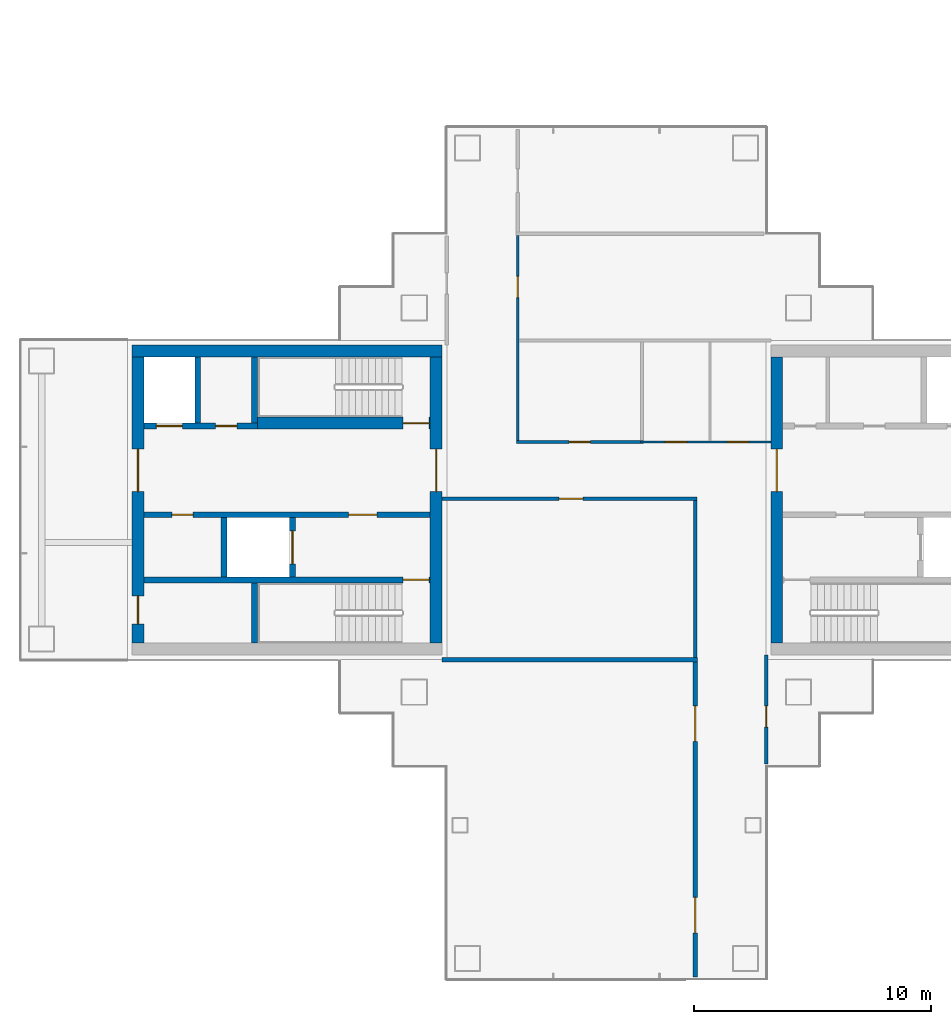
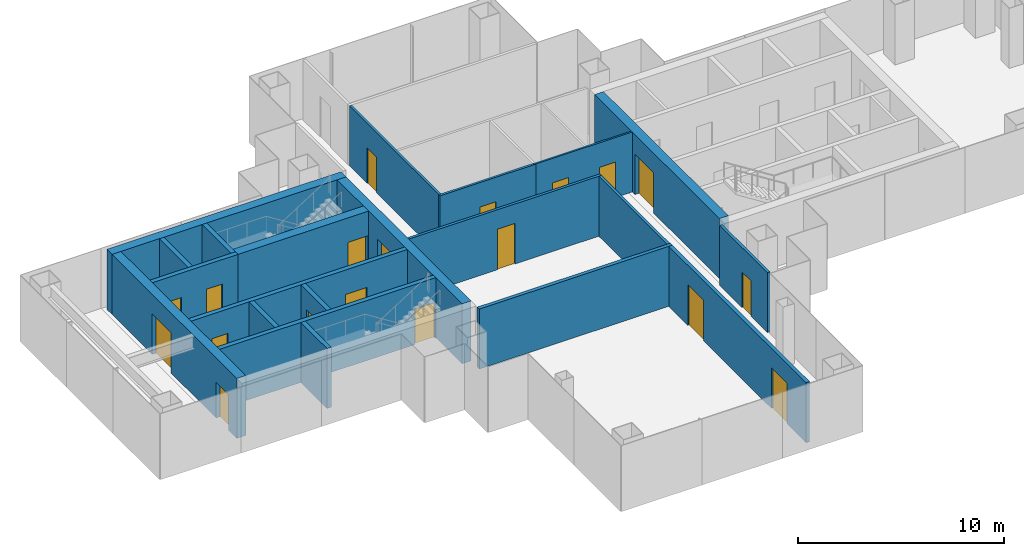
# One storey, part 9 of 16: 21 walls, 19 doors, 19 openings.
"""IFC4 building model written with IfcOpenShell, lengths in metres."""

from ifc_helpers import new_model, si_unit, direction, frame, frame_2d, origin, place, context, subcontext, project, spatial, rectangle, extrude, material, layer, layer_set, type_object, element, fill, save


model = new_model("IFC4")

# Units and contexts
model_context = context("Model", 3, precision=1e-05, world=origin(), true_north=direction((0.0, 1.0)))
body_context = subcontext(model_context, "Body", "Model", "MODEL_VIEW")
ifc_project = project(units=[si_unit("LENGTHUNIT", "METRE"), si_unit("AREAUNIT", "SQUARE_METRE"), si_unit("VOLUMEUNIT", "CUBIC_METRE"), si_unit("PLANEANGLEUNIT", "RADIAN"), si_unit("MASSUNIT", "GRAM", prefix="KILO")], contexts=[model_context])

# Site, building, storey
site_placement = place(None, origin())
site = spatial("IfcSite", under=ifc_project, at=site_placement, CompositionType="ELEMENT")
building_placement = place(site_placement, origin())
building = spatial("IfcBuilding", under=site, at=building_placement, Name="Shamsa Quay Exchange Towers", CompositionType="ELEMENT")
storey_placement = place(building_placement, frame((0.0, 0.0, 138.89990234375)))
storey = spatial("IfcBuildingStorey", under=building, at=storey_placement, Name="L32", CompositionType="ELEMENT", Elevation=138.89990234375)

# Wall, openings, doors
ifc_material_1 = material(Name="Double-leaf gypsum board partition with acoustic insulation")
ifc_layer_1 = layer(ifc_material_1, 0.199951171875)
ifc_layer_set_1 = layer_set([ifc_layer_1], Name="Acoustic partition 200 mm EI 60")
wall_type_1 = type_object("IfcWallType", Name="Acoustic partition 200 mm EI 60", PredefinedType="PARTITIONING", material=ifc_layer_set_1)
wall_1_placement = place(storey_placement, frame((-30.0, -6.85009765625, 0.0), z_axis=(0.0, 0.0, 1.0), x_axis=(0.0, -1.0, 0.0)))
wall_1 = element("IfcWall", 1, at=wall_1_placement, inside=storey, type_object=wall_type_1, Name="Partition T1-R14-W05", PredefinedType="PARTITIONING", context=body_context, shape_type="SweptSolid", body=[
    extrude(rectangle(XDim=13.304931640625, YDim=0.199951171875, at=frame_2d((6.65234375, 0.0))), origin(), (0.0, 0.0, 1.0), 3.550048828125),
])
opening_1_placement = place(wall_1_placement, frame((1.85009765625, 0.0, 0.0)))
opening_1 = element("IfcOpeningElement", 2, at=opening_1_placement, cuts=wall_1, Name="Opening T1-R14-D07", PredefinedType="OPENING", context=body_context, shape_type="SweptSolid", body=[
    extrude(rectangle(XDim=1.5, YDim=2.39990234375, at=frame_2d((0.75, 1.199951171875))), frame((0.0, 0.10986328125, 0.0), z_axis=(0.0, -1.0, 0.0), x_axis=(1.0, 0.0, 0.0)), (0.0, 0.0, 1.0), 0.219970703125),
])
opening_2_placement = place(wall_1_placement, frame((9.949951171875, 0.0, 0.0)))
opening_2 = element("IfcOpeningElement", 3, at=opening_2_placement, cuts=wall_1, Name="Opening T1-R14-D08", PredefinedType="OPENING", context=body_context, shape_type="SweptSolid", body=[
    extrude(rectangle(XDim=1.5, YDim=2.39990234375, at=frame_2d((0.75, 1.199951171875))), frame((0.0, 0.10986328125, 0.0), z_axis=(0.0, -1.0, 0.0), x_axis=(1.0, 0.0, 0.0)), (0.0, 0.0, 1.0), 0.219970703125),
])
ifc_material_2 = material(Name="Timber door leaf in a metal frame", Category="wood")
door_type_1 = type_object("IfcDoorType", Name="Door 1500x2400 FD30S pair", OperationType="NOTDEFINED", PredefinedType="DOOR", material=ifc_material_2)
door_1_placement = place(opening_1_placement, origin())
door_1 = element("IfcDoor", 4, at=door_1_placement, inside=storey, type_object=door_type_1, Name="Door T1-R14-D07", OperationType="DOUBLE_DOOR_SINGLE_SWING", OverallHeight=2.39990234375, OverallWidth=1.5, PredefinedType="DOOR", context=body_context, shape_type="SweptSolid", body=[
    extrude(rectangle(XDim=1.5, YDim=2.39990234375, at=frame_2d((0.75, 1.199951171875))), frame((0.0, 0.02490234375, 0.0), z_axis=(0.0, -1.0, 0.0), x_axis=(1.0, 0.0, 0.0)), (0.0, 0.0, 1.0), 0.050048828125),
])
fill(opening_1, door_1)
door_2_placement = place(opening_2_placement, origin())
door_2 = element("IfcDoor", 5, at=door_2_placement, inside=storey, type_object=door_type_1, Name="Door T1-R14-D08", OperationType="DOUBLE_DOOR_SINGLE_SWING", OverallHeight=2.39990234375, OverallWidth=1.5, PredefinedType="DOOR", context=body_context, shape_type="SweptSolid", body=[
    extrude(rectangle(XDim=1.5, YDim=2.39990234375, at=frame_2d((0.75, 1.199951171875))), frame((0.0, 0.02490234375, 0.0), z_axis=(0.0, -1.0, 0.0), x_axis=(1.0, 0.0, 0.0)), (0.0, 0.0, 1.0), 0.050048828125),
])
fill(opening_2, door_2)

# Wall
wall_2_placement = place(storey_placement, frame((-29.89990234375, -6.75, 0.0), z_axis=(0.0, 0.0, 1.0), x_axis=(-1.0, 0.0, 0.0)))
element("IfcWall", 6, at=wall_2_placement, inside=storey, type_object=wall_type_1, Name="Partition T1-R14-W14", PredefinedType="PARTITIONING", context=body_context, shape_type="SweptSolid", body=[
    extrude(rectangle(XDim=10.800048828125, YDim=0.199951171875, at=frame_2d((5.39990234375, 0.0))), origin(), (0.0, 0.0, 1.0), 3.550048828125),
])

# Wall, opening, door
ifc_material_3 = material(Name="Concrete C60/75", Category="concrete")
ifc_layer_2 = layer(ifc_material_3, 0.5)
ifc_layer_set_2 = layer_set([ifc_layer_2], Name="CORE WALL 500 C60/75")
wall_type_2 = type_object("IfcWallType", Name="CORE WALL 500 C60/75", PredefinedType="SHEAR", material=ifc_layer_set_2)
wall_3_placement = place(storey_placement, frame((-26.550048828125, 6.050048828125, 0.0), z_axis=(0.0, 0.0, 1.0), x_axis=(0.0, -1.0, 0.0)))
wall_3 = element("IfcWall", 7, at=wall_3_placement, inside=storey, type_object=wall_type_2, Name="Core wall T1A-R14-PF", PredefinedType="SHEAR", context=body_context, shape_type="SweptSolid", body=[
    extrude(rectangle(XDim=12.10009765625, YDim=0.5, at=frame_2d((6.050048828125, 0.0))), origin(), (0.0, 0.0, 1.0), 3.550048828125),
])
opening_3_placement = place(wall_3_placement, frame((3.89990234375, 0.0, 0.0)))
opening_3 = element("IfcOpeningElement", 8, at=opening_3_placement, cuts=wall_3, Name="Opening T1A-R14-LBD01", PredefinedType="OPENING", context=body_context, shape_type="SweptSolid", body=[
    extrude(rectangle(XDim=1.800048828125, YDim=2.39990234375, at=frame_2d((0.89990234375, 1.199951171875))), frame((0.0, 0.260009765625, 0.0), z_axis=(0.0, -1.0, 0.0), x_axis=(1.0, 0.0, 0.0)), (0.0, 0.0, 1.0), 0.52001953125),
])
ifc_material_4 = material(Name="Steel, fire rated", Category="steel")
door_type_2 = type_object("IfcDoorType", Name="LIFT LOBBY DOOR PAIR 1800", OperationType="DOUBLE_DOOR_SINGLE_SWING", PredefinedType="DOOR", material=ifc_material_4)
door_3_placement = place(opening_3_placement, origin())
door_3 = element("IfcDoor", 9, at=door_3_placement, inside=storey, type_object=door_type_2, Name="T1A-R14-LBD01", OperationType="DOUBLE_DOOR_SINGLE_SWING", OverallHeight=2.39990234375, OverallWidth=1.800048828125, PredefinedType="DOOR", context=body_context, shape_type="SweptSolid", body=[
    extrude(rectangle(XDim=1.800048828125, YDim=2.39990234375, at=frame_2d((0.89990234375, 1.199951171875))), frame((0.0, 0.02490234375, 0.0), z_axis=(0.0, -1.0, 0.0), x_axis=(1.0, 0.0, 0.0)), (0.0, 0.0, 1.0), 0.050048828125),
])
fill(opening_3, door_3)

# Wall
wall_4_placement = place(storey_placement, frame((-40.699951171875, 6.300048828125, 0.0), z_axis=(0.0, 0.0, 1.0), x_axis=(-1.0, 0.0, 0.0)))
element("IfcWall", 10, at=wall_4_placement, inside=storey, type_object=wall_type_2, Name="Core wall T1B-R14-PN", PredefinedType="SHEAR", context=body_context, shape_type="SweptSolid", body=[
    extrude(rectangle(XDim=13.10009765625, YDim=0.5, at=frame_2d((6.550048828125, 0.0))), origin(), (0.0, 0.0, 1.0), 3.550048828125),
])

# Wall, opening, door
wall_5_placement = place(storey_placement, frame((-40.949951171875, -6.050048828125, 0.0), z_axis=(0.0, 0.0, 1.0), x_axis=(0.0, 1.0, 0.0)))
wall_5 = element("IfcWall", 11, at=wall_5_placement, inside=storey, type_object=wall_type_2, Name="Core wall T1B-R14-PF", PredefinedType="SHEAR", context=body_context, shape_type="SweptSolid", body=[
    extrude(rectangle(XDim=12.10009765625, YDim=0.5, at=frame_2d((6.050048828125, 0.0))), origin(), (0.0, 0.0, 1.0), 3.550048828125),
])
opening_4_placement = place(wall_5_placement, frame((6.39990234375, 0.0, 0.0)))
opening_4 = element("IfcOpeningElement", 12, at=opening_4_placement, cuts=wall_5, Name="Opening T1B-R14-LBD01", PredefinedType="OPENING", context=body_context, shape_type="SweptSolid", body=[
    extrude(rectangle(XDim=1.800048828125, YDim=2.39990234375, at=frame_2d((0.89990234375, 1.199951171875))), frame((0.0, 0.260009765625, 0.0), z_axis=(0.0, -1.0, 0.0), x_axis=(1.0, 0.0, 0.0)), (0.0, 0.0, 1.0), 0.52001953125),
])
door_4_placement = place(opening_4_placement, origin())
door_4 = element("IfcDoor", 13, at=door_4_placement, inside=storey, type_object=door_type_2, Name="T1B-R14-LBD01", OperationType="DOUBLE_DOOR_SINGLE_SWING", OverallHeight=2.39990234375, OverallWidth=1.800048828125, PredefinedType="DOOR", context=body_context, shape_type="SweptSolid", body=[
    extrude(rectangle(XDim=1.800048828125, YDim=2.39990234375, at=frame_2d((0.89990234375, 1.199951171875))), frame((0.0, 0.02490234375, 0.0), z_axis=(0.0, -1.0, 0.0), x_axis=(1.0, 0.0, 0.0)), (0.0, 0.0, 1.0), 0.050048828125),
])
fill(opening_4, door_4)

# Wall, openings, doors
wall_6_placement = place(storey_placement, frame((-53.550048828125, -6.050048828125, 0.0), z_axis=(0.0, 0.0, 1.0), x_axis=(0.0, 1.0, 0.0)))
wall_6 = element("IfcWall", 14, at=wall_6_placement, inside=storey, type_object=wall_type_2, Name="Core wall T1B-R14-PB", PredefinedType="SHEAR", context=body_context, shape_type="SweptSolid", body=[
    extrude(rectangle(XDim=12.10009765625, YDim=0.5, at=frame_2d((6.050048828125, 0.0))), origin(), (0.0, 0.0, 1.0), 3.550048828125),
])
opening_5_placement = place(wall_6_placement, frame((0.800048828125, 0.0, 0.0)))
opening_5 = element("IfcOpeningElement", 15, at=opening_5_placement, cuts=wall_6, Name="Opening T1B-R14-RD02", PredefinedType="OPENING", context=body_context, shape_type="SweptSolid", body=[
    extrude(rectangle(XDim=1.199951171875, YDim=2.10009765625, at=frame_2d((0.60009765625, 1.050048828125))), frame((0.0, 0.260009765625, 0.0), z_axis=(0.0, -1.0, 0.0), x_axis=(1.0, 0.0, 0.0)), (0.0, 0.0, 1.0), 0.52001953125),
])
opening_6_placement = place(wall_6_placement, frame((6.39990234375, 0.0, 0.0)))
opening_6 = element("IfcOpeningElement", 16, at=opening_6_placement, cuts=wall_6, Name="Opening T1B-R14-LBD03", PredefinedType="OPENING", context=body_context, shape_type="SweptSolid", body=[
    extrude(rectangle(XDim=1.800048828125, YDim=2.39990234375, at=frame_2d((0.89990234375, 1.199951171875))), frame((0.0, 0.260009765625, 0.0), z_axis=(0.0, -1.0, 0.0), x_axis=(1.0, 0.0, 0.0)), (0.0, 0.0, 1.0), 0.52001953125),
])
door_5_placement = place(opening_6_placement, origin())
door_5 = element("IfcDoor", 17, at=door_5_placement, inside=storey, type_object=door_type_2, Name="T1B-R14-LBD03", OperationType="DOUBLE_DOOR_SINGLE_SWING", OverallHeight=2.39990234375, OverallWidth=1.800048828125, PredefinedType="DOOR", context=body_context, shape_type="SweptSolid", body=[
    extrude(rectangle(XDim=1.800048828125, YDim=2.39990234375, at=frame_2d((0.89990234375, 1.199951171875))), frame((0.0, 0.02490234375, 0.0), z_axis=(0.0, -1.0, 0.0), x_axis=(1.0, 0.0, 0.0)), (0.0, 0.0, 1.0), 0.050048828125),
])
fill(opening_6, door_5)
door_type_3 = type_object("IfcDoorType", Name="RISER ACCESS DOOR 1200", OperationType="SINGLE_SWING_LEFT", PredefinedType="DOOR", material=ifc_material_4)
door_6_placement = place(opening_5_placement, origin())
door_6 = element("IfcDoor", 18, at=door_6_placement, inside=storey, type_object=door_type_3, Name="T1B-R14-RD02", OperationType="SINGLE_SWING_LEFT", OverallHeight=2.10009765625, OverallWidth=1.199951171875, PredefinedType="DOOR", context=body_context, shape_type="SweptSolid", body=[
    extrude(rectangle(XDim=1.199951171875, YDim=2.10009765625, at=frame_2d((0.60009765625, 1.050048828125))), frame((0.0, 0.02490234375, 0.0), z_axis=(0.0, -1.0, 0.0), x_axis=(1.0, 0.0, 0.0)), (0.0, 0.0, 1.0), 0.050048828125),
])
fill(opening_5, door_6)

# Wall, opening, door
ifc_material_5 = material(Name="Laminated fire-resisting glass in a metal frame", Category="glass")
ifc_layer_3 = layer(ifc_material_5, 0.125)
ifc_layer_set_3 = layer_set([ifc_layer_3], Name="Glazed partition 125 mm EI 60")
wall_type_3 = type_object("IfcWallType", Name="Glazed partition 125 mm EI 60", PredefinedType="PARTITIONING", material=ifc_layer_set_3)
wall_7_placement = place(storey_placement, frame((-37.5, 11.175048828125, 0.0), z_axis=(0.0, 0.0, 1.0), x_axis=(0.0, -1.0, 0.0)))
wall_7 = element("IfcWall", 19, at=wall_7_placement, inside=storey, type_object=wall_type_3, Name="Partition T1-R14-W01", PredefinedType="PARTITIONING", context=body_context, shape_type="SweptSolid", body=[
    extrude(rectangle(XDim=8.662353515625, YDim=0.125, at=frame_2d((4.3310546875, 0.0))), origin(), (0.0, 0.0, 1.0), 3.550048828125),
])
opening_7_placement = place(wall_7_placement, frame((1.72509765625, 0.0, 0.0)))
opening_7 = element("IfcOpeningElement", 20, at=opening_7_placement, cuts=wall_7, Name="Opening T1-R14-D03", PredefinedType="OPENING", context=body_context, shape_type="SweptSolid", body=[
    extrude(rectangle(XDim=0.89990234375, YDim=2.10009765625, at=frame_2d((0.449951171875, 1.050048828125))), frame((0.0, 0.072509765625, 0.0), z_axis=(0.0, -1.0, 0.0), x_axis=(1.0, 0.0, 0.0)), (0.0, 0.0, 1.0), 0.14501953125),
])
door_type_4 = type_object("IfcDoorType", Name="Door 900x2100 FD30S", OperationType="NOTDEFINED", PredefinedType="DOOR", material=ifc_material_2)
door_7_placement = place(opening_7_placement, origin())
door_7 = element("IfcDoor", 21, at=door_7_placement, inside=storey, type_object=door_type_4, Name="Door T1-R14-D03", OperationType="SINGLE_SWING_RIGHT", OverallHeight=2.10009765625, OverallWidth=0.89990234375, PredefinedType="DOOR", context=body_context, shape_type="SweptSolid", body=[
    extrude(rectangle(XDim=0.89990234375, YDim=2.10009765625, at=frame_2d((0.449951171875, 1.050048828125))), frame((0.0, 0.02490234375, 0.0), z_axis=(0.0, -1.0, 0.0), x_axis=(1.0, 0.0, 0.0)), (0.0, 0.0, 1.0), 0.050048828125),
])
fill(opening_7, door_7)

wall_8_placement = place(storey_placement, frame((-37.5625, 2.4501953125, 0.0)))
wall_8 = element("IfcWall", 22, at=wall_8_placement, inside=storey, type_object=wall_type_3, Name="Partition T1-R14-W03", PredefinedType="PARTITIONING", context=body_context, shape_type="SweptSolid", body=[
    extrude(rectangle(XDim=5.375, YDim=0.125, at=frame_2d((2.6875, 0.0))), origin(), (0.0, 0.0, 1.0), 3.550048828125),
])
opening_8_placement = place(wall_8_placement, frame((2.237548828125, 0.0, 0.0)))
opening_8 = element("IfcOpeningElement", 23, at=opening_8_placement, cuts=wall_8, Name="Opening T1-R14-D02", PredefinedType="OPENING", context=body_context, shape_type="SweptSolid", body=[
    extrude(rectangle(XDim=0.89990234375, YDim=2.10009765625, at=frame_2d((0.449951171875, 1.050048828125))), frame((0.0, 0.072509765625, 0.0), z_axis=(0.0, -1.0, 0.0), x_axis=(1.0, 0.0, 0.0)), (0.0, 0.0, 1.0), 0.14501953125),
])
door_8_placement = place(opening_8_placement, origin())
door_8 = element("IfcDoor", 24, at=door_8_placement, inside=storey, type_object=door_type_4, Name="Door T1-R14-D02", OperationType="SINGLE_SWING_RIGHT", OverallHeight=2.10009765625, OverallWidth=0.89990234375, PredefinedType="DOOR", context=body_context, shape_type="SweptSolid", body=[
    extrude(rectangle(XDim=0.89990234375, YDim=2.10009765625, at=frame_2d((0.449951171875, 1.050048828125))), frame((0.0, 0.02490234375, 0.0), z_axis=(0.0, -1.0, 0.0), x_axis=(1.0, 0.0, 0.0)), (0.0, 0.0, 1.0), 0.050048828125),
])
fill(opening_8, door_8)

# Wall, openings, doors
ifc_material_6 = material(Name="Gypsum board partition on metal studs")
ifc_layer_4 = layer(ifc_material_6, 0.10009765625)
ifc_layer_set_4 = layer_set([ifc_layer_4], Name="Partition 100 mm NOT RATED")
wall_type_4 = type_object("IfcWallType", Name="Partition 100 mm NOT RATED", PredefinedType="PARTITIONING", material=ifc_layer_set_4)
wall_9_placement = place(storey_placement, frame((-32.3125, 2.4501953125, 0.0)))
wall_9 = element("IfcWall", 25, at=wall_9_placement, inside=storey, type_object=wall_type_4, Name="Partition T1-R14-W04", PredefinedType="PARTITIONING", context=body_context, shape_type="SweptSolid", body=[
    extrude(rectangle(XDim=5.512451171875, YDim=0.10009765625, at=frame_2d((2.75634765625, 0.0))), origin(), (0.0, 0.0, 1.0), 3.550048828125),
])
opening_9_placement = place(wall_9_placement, frame((1.050048828125, 0.0, 0.0)))
opening_9 = element("IfcOpeningElement", 26, at=opening_9_placement, cuts=wall_9, Name="Opening T1-R14-D05", PredefinedType="OPENING", context=body_context, shape_type="SweptSolid", body=[
    extrude(rectangle(XDim=0.89990234375, YDim=2.10009765625, at=frame_2d((0.449951171875, 1.050048828125))), frame((0.0, 0.06005859375, 0.0), z_axis=(0.0, -1.0, 0.0), x_axis=(1.0, 0.0, 0.0)), (0.0, 0.0, 1.0), 0.1201171875),
])
opening_10_placement = place(wall_9_placement, frame((3.675048828125, 0.0, 0.0)))
opening_10 = element("IfcOpeningElement", 27, at=opening_10_placement, cuts=wall_9, Name="Opening T1-R14-D06", PredefinedType="OPENING", context=body_context, shape_type="SweptSolid", body=[
    extrude(rectangle(XDim=0.89990234375, YDim=2.10009765625, at=frame_2d((0.449951171875, 1.050048828125))), frame((0.0, 0.06005859375, 0.0), z_axis=(0.0, -1.0, 0.0), x_axis=(1.0, 0.0, 0.0)), (0.0, 0.0, 1.0), 0.1201171875),
])
door_type_5 = type_object("IfcDoorType", Name="Door 900x2100 NOT RATED", OperationType="NOTDEFINED", PredefinedType="DOOR", material=ifc_material_2)
door_9_placement = place(opening_9_placement, origin())
door_9 = element("IfcDoor", 28, at=door_9_placement, inside=storey, type_object=door_type_5, Name="Door T1-R14-D05", OperationType="SINGLE_SWING_LEFT", OverallHeight=2.10009765625, OverallWidth=0.89990234375, PredefinedType="DOOR", context=body_context, shape_type="SweptSolid", body=[
    extrude(rectangle(XDim=0.89990234375, YDim=2.10009765625, at=frame_2d((0.449951171875, 1.050048828125))), frame((0.0, 0.02490234375, 0.0), z_axis=(0.0, -1.0, 0.0), x_axis=(1.0, 0.0, 0.0)), (0.0, 0.0, 1.0), 0.050048828125),
])
fill(opening_9, door_9)
door_10_placement = place(opening_10_placement, origin())
door_10 = element("IfcDoor", 29, at=door_10_placement, inside=storey, type_object=door_type_5, Name="Door T1-R14-D06", OperationType="SINGLE_SWING_LEFT", OverallHeight=2.10009765625, OverallWidth=0.89990234375, PredefinedType="DOOR", context=body_context, shape_type="SweptSolid", body=[
    extrude(rectangle(XDim=0.89990234375, YDim=2.10009765625, at=frame_2d((0.449951171875, 1.050048828125))), frame((0.0, 0.02490234375, 0.0), z_axis=(0.0, -1.0, 0.0), x_axis=(1.0, 0.0, 0.0)), (0.0, 0.0, 1.0), 0.050048828125),
])
fill(opening_10, door_10)

# Wall
ifc_layer_5 = layer(ifc_material_6, 0.14990234375)
ifc_layer_set_5 = layer_set([ifc_layer_5], Name="Partition 150 mm EI 60")
wall_type_5 = type_object("IfcWallType", Name="Partition 150 mm EI 60", PredefinedType="PARTITIONING", material=ifc_layer_set_5)
wall_10_placement = place(storey_placement, frame((-30.0, -6.64990234375, 0.0), z_axis=(0.0, 0.0, 1.0), x_axis=(0.0, 1.0, 0.0)))
element("IfcWall", 30, at=wall_10_placement, inside=storey, type_object=wall_type_5, Name="Partition T1-R14-W06", PredefinedType="PARTITIONING", context=body_context, shape_type="SweptSolid", body=[
    extrude(rectangle(XDim=6.624755859375, YDim=0.14990234375, at=frame_2d((3.3125, 0.0))), origin(), (0.0, 0.0, 1.0), 3.550048828125),
])

# Wall, opening, door
wall_11_placement = place(storey_placement, frame((-29.925048828125, 0.0498046875, 0.0), z_axis=(0.0, 0.0, 1.0), x_axis=(-1.0, 0.0, 0.0)))
wall_11 = element("IfcWall", 31, at=wall_11_placement, inside=storey, type_object=wall_type_5, Name="Partition T1-R14-W07", PredefinedType="PARTITIONING", context=body_context, shape_type="SweptSolid", body=[
    extrude(rectangle(XDim=10.77490234375, YDim=0.14990234375, at=frame_2d((5.387451171875, 0.0))), origin(), (0.0, 0.0, 1.0), 3.550048828125),
])
opening_11_placement = place(wall_11_placement, frame((4.824951171875, 0.0, 0.0)))
opening_11 = element("IfcOpeningElement", 32, at=opening_11_placement, cuts=wall_11, Name="Opening T1-R14-D09", PredefinedType="OPENING", context=body_context, shape_type="SweptSolid", body=[
    extrude(rectangle(XDim=1.0, YDim=2.39990234375, at=frame_2d((0.5, 1.199951171875))), frame((0.0, 0.0849609375, 0.0), z_axis=(0.0, -1.0, 0.0), x_axis=(1.0, 0.0, 0.0)), (0.0, 0.0, 1.0), 0.169921875),
])
door_type_6 = type_object("IfcDoorType", Name="Door 1000x2400 FD30S", OperationType="NOTDEFINED", PredefinedType="DOOR", material=ifc_material_2)
door_11_placement = place(opening_11_placement, origin())
door_11 = element("IfcDoor", 33, at=door_11_placement, inside=storey, type_object=door_type_6, Name="Door T1-R14-D09", OperationType="SINGLE_SWING_LEFT", OverallHeight=2.39990234375, OverallWidth=1.0, PredefinedType="DOOR", context=body_context, shape_type="SweptSolid", body=[
    extrude(rectangle(XDim=1.0, YDim=2.39990234375, at=frame_2d((0.5, 1.199951171875))), frame((0.0, 0.02490234375, 0.0), z_axis=(0.0, -1.0, 0.0), x_axis=(1.0, 0.0, 0.0)), (0.0, 0.0, 1.0), 0.050048828125),
])
fill(opening_11, door_11)

wall_12_placement = place(storey_placement, frame((-27.0, -6.550048828125, 0.0), z_axis=(0.0, 0.0, 1.0), x_axis=(0.0, -1.0, 0.0)))
wall_12 = element("IfcWall", 34, at=wall_12_placement, inside=storey, type_object=wall_type_5, Name="Partition T1-R14-W08", PredefinedType="PARTITIONING", context=body_context, shape_type="SweptSolid", body=[
    extrude(rectangle(XDim=4.60498046875, YDim=0.14990234375, at=frame_2d((2.302490234375, 0.0))), origin(), (0.0, 0.0, 1.0), 3.550048828125),
])
opening_12_placement = place(wall_12_placement, frame((2.14990234375, 0.0, 0.0)))
opening_12 = element("IfcOpeningElement", 35, at=opening_12_placement, cuts=wall_12, Name="Opening T1-R14-D10", PredefinedType="OPENING", context=body_context, shape_type="SweptSolid", body=[
    extrude(rectangle(XDim=0.89990234375, YDim=2.10009765625, at=frame_2d((0.449951171875, 1.050048828125))), frame((0.0, 0.0849609375, 0.0), z_axis=(0.0, -1.0, 0.0), x_axis=(1.0, 0.0, 0.0)), (0.0, 0.0, 1.0), 0.169921875),
])
door_12_placement = place(opening_12_placement, origin())
door_12 = element("IfcDoor", 36, at=door_12_placement, inside=storey, type_object=door_type_4, Name="Door T1-R14-D10", OperationType="SINGLE_SWING_RIGHT", OverallHeight=2.10009765625, OverallWidth=0.89990234375, PredefinedType="DOOR", context=body_context, shape_type="SweptSolid", body=[
    extrude(rectangle(XDim=0.89990234375, YDim=2.10009765625, at=frame_2d((0.449951171875, 1.050048828125))), frame((0.0, 0.02490234375, 0.0), z_axis=(0.0, -1.0, 0.0), x_axis=(1.0, 0.0, 0.0)), (0.0, 0.0, 1.0), 0.050048828125),
])
fill(opening_12, door_12)

ifc_material_7 = material(Name="Concrete C50/60", Category="concrete")
ifc_layer_6 = layer(ifc_material_7, 0.25)
ifc_layer_set_6 = layer_set([ifc_layer_6], Name="SHAFT WALL 250 C50/60")
wall_type_6 = type_object("IfcWallType", Name="SHAFT WALL 250 C50/60", PredefinedType="SHEAR", material=ifc_layer_set_6)
wall_13_placement = place(storey_placement, frame((-41.199951171875, -3.375, 0.0), z_axis=(0.0, 0.0, 1.0), x_axis=(-1.0, 0.0, 0.0)))
wall_13 = element("IfcWall", 37, at=wall_13_placement, inside=storey, type_object=wall_type_6, Name="Shaft wall T1B-R14-STL", PredefinedType="SHEAR", context=body_context, shape_type="SweptSolid", body=[
    extrude(rectangle(XDim=12.10009765625, YDim=0.25, at=frame_2d((6.050048828125, 0.0))), origin(), (0.0, 0.0, 1.0), 3.550048828125),
])
opening_13_placement = place(wall_13_placement, frame((0.050048828125, 0.0, 0.0)))
opening_13 = element("IfcOpeningElement", 38, at=opening_13_placement, cuts=wall_13, Name="Opening T1B-R14-SD04", PredefinedType="OPENING", context=body_context, shape_type="SweptSolid", body=[
    extrude(rectangle(XDim=1.10009765625, YDim=2.10009765625, at=frame_2d((0.550048828125, 1.050048828125))), frame((0.0, 0.135009765625, 0.0), z_axis=(0.0, -1.0, 0.0), x_axis=(1.0, 0.0, 0.0)), (0.0, 0.0, 1.0), 0.27001953125),
])
door_type_7 = type_object("IfcDoorType", Name="STAIR DOOR 1100", OperationType="SINGLE_SWING_LEFT", PredefinedType="DOOR", material=ifc_material_4)
door_13_placement = place(opening_13_placement, origin())
door_13 = element("IfcDoor", 39, at=door_13_placement, inside=storey, type_object=door_type_7, Name="T1B-R14-SD04", OperationType="SINGLE_SWING_LEFT", OverallHeight=2.10009765625, OverallWidth=1.10009765625, PredefinedType="DOOR", context=body_context, shape_type="SweptSolid", body=[
    extrude(rectangle(XDim=1.10009765625, YDim=2.10009765625, at=frame_2d((0.550048828125, 1.050048828125))), frame((0.0, 0.02490234375, 0.0), z_axis=(0.0, -1.0, 0.0), x_axis=(1.0, 0.0, 0.0)), (0.0, 0.0, 1.0), 0.050048828125),
])
fill(opening_13, door_13)

# Wall
wall_14_placement = place(storey_placement, frame((-48.625, -6.050048828125, 0.0), z_axis=(0.0, 0.0, 1.0), x_axis=(0.0, 1.0, 0.0)))
element("IfcWall", 40, at=wall_14_placement, inside=storey, type_object=wall_type_6, Name="Shaft wall T1B-R14-STF", PredefinedType="SHEAR", context=body_context, shape_type="SweptSolid", body=[
    extrude(rectangle(XDim=2.550048828125, YDim=0.25, at=frame_2d((1.27490234375, 0.0))), origin(), (0.0, 0.0, 1.0), 3.550048828125),
])

# Wall, openings, doors
wall_15_placement = place(storey_placement, frame((-41.199951171875, -0.625, 0.0), z_axis=(0.0, 0.0, 1.0), x_axis=(-1.0, 0.0, 0.0)))
wall_15 = element("IfcWall", 41, at=wall_15_placement, inside=storey, type_object=wall_type_6, Name="Shaft wall T1B-R14-B", PredefinedType="SHEAR", context=body_context, shape_type="SweptSolid", body=[
    extrude(rectangle(XDim=12.10009765625, YDim=0.25, at=frame_2d((6.050048828125, 0.0))), origin(), (0.0, 0.0, 1.0), 3.550048828125),
])
opening_14_placement = place(wall_15_placement, frame((2.25, 0.0, 0.0)))
opening_14 = element("IfcOpeningElement", 42, at=opening_14_placement, cuts=wall_15, Name="Opening T1B-R14-FD05", PredefinedType="OPENING", context=body_context, shape_type="SweptSolid", body=[
    extrude(rectangle(XDim=1.199951171875, YDim=2.10009765625, at=frame_2d((0.60009765625, 1.050048828125))), frame((0.0, 0.135009765625, 0.0), z_axis=(0.0, -1.0, 0.0), x_axis=(1.0, 0.0, 0.0)), (0.0, 0.0, 1.0), 0.27001953125),
])
opening_15_placement = place(wall_15_placement, frame((10.02490234375, 0.0, 0.0)))
opening_15 = element("IfcOpeningElement", 43, at=opening_15_placement, cuts=wall_15, Name="Opening T1B-R14-SV06", PredefinedType="OPENING", context=body_context, shape_type="SweptSolid", body=[
    extrude(rectangle(XDim=0.89990234375, YDim=2.10009765625, at=frame_2d((0.449951171875, 1.050048828125))), frame((0.0, 0.135009765625, 0.0), z_axis=(0.0, -1.0, 0.0), x_axis=(1.0, 0.0, 0.0)), (0.0, 0.0, 1.0), 0.27001953125),
])
door_type_8 = type_object("IfcDoorType", Name="FIRE SERVICE LOBBY DOOR 1200", OperationType="SINGLE_SWING_LEFT", PredefinedType="DOOR", material=ifc_material_4)
door_14_placement = place(opening_14_placement, origin())
door_14 = element("IfcDoor", 44, at=door_14_placement, inside=storey, type_object=door_type_8, Name="T1B-R14-FD05", OperationType="SINGLE_SWING_LEFT", OverallHeight=2.10009765625, OverallWidth=1.199951171875, PredefinedType="DOOR", context=body_context, shape_type="SweptSolid", body=[
    extrude(rectangle(XDim=1.199951171875, YDim=2.10009765625, at=frame_2d((0.60009765625, 1.050048828125))), frame((0.0, 0.02490234375, 0.0), z_axis=(0.0, -1.0, 0.0), x_axis=(1.0, 0.0, 0.0)), (0.0, 0.0, 1.0), 0.050048828125),
])
fill(opening_14, door_14)
door_type_9 = type_object("IfcDoorType", Name="SERVICE ROOM DOOR 900", OperationType="SINGLE_SWING_LEFT", PredefinedType="DOOR", material=ifc_material_4)
door_15_placement = place(opening_15_placement, origin())
door_15 = element("IfcDoor", 45, at=door_15_placement, inside=storey, type_object=door_type_9, Name="T1B-R14-SV06", OperationType="SINGLE_SWING_RIGHT", OverallHeight=2.10009765625, OverallWidth=0.89990234375, PredefinedType="DOOR", context=body_context, shape_type="SweptSolid", body=[
    extrude(rectangle(XDim=0.89990234375, YDim=2.10009765625, at=frame_2d((0.449951171875, 1.050048828125))), frame((0.0, 0.02490234375, 0.0), z_axis=(0.0, -1.0, 0.0), x_axis=(1.0, 0.0, 0.0)), (0.0, 0.0, 1.0), 0.050048828125),
])
fill(opening_15, door_15)

# Wall, opening, door
wall_16_placement = place(storey_placement, frame((-47.02490234375, -3.25, 0.0), z_axis=(0.0, 0.0, 1.0), x_axis=(0.0, 1.0, 0.0)))
wall_16 = element("IfcWall", 46, at=wall_16_placement, inside=storey, type_object=wall_type_6, Name="Shaft wall T1B-R14-FFF", PredefinedType="SHEAR", context=body_context, shape_type="SweptSolid", body=[
    extrude(rectangle(XDim=2.5, YDim=0.25, at=frame_2d((1.25, 0.0))), origin(), (0.0, 0.0, 1.0), 3.550048828125),
])
opening_16_placement = place(wall_16_placement, frame((0.550048828125, 0.0, 0.0)))
opening_16 = element("IfcOpeningElement", 47, at=opening_16_placement, cuts=wall_16, Name="Opening T1B-R14-LDG07", PredefinedType="OPENING", context=body_context, shape_type="SweptSolid", body=[
    extrude(rectangle(XDim=1.39990234375, YDim=2.39990234375, at=frame_2d((0.699951171875, 1.199951171875))), frame((0.0, 0.135009765625, 0.0), z_axis=(0.0, -1.0, 0.0), x_axis=(1.0, 0.0, 0.0)), (0.0, 0.0, 1.0), 0.27001953125),
])
door_type_10 = type_object("IfcDoorType", Name="GOODS LIFT LANDING DOOR 1400", OperationType="SLIDING_TO_LEFT", PredefinedType="DOOR", material=ifc_material_4)
door_16_placement = place(opening_16_placement, origin())
door_16 = element("IfcDoor", 48, at=door_16_placement, inside=storey, type_object=door_type_10, Name="T1B-R14-LDG07", OperationType="SLIDING_TO_LEFT", OverallHeight=2.39990234375, OverallWidth=1.39990234375, PredefinedType="DOOR", context=body_context, shape_type="SweptSolid", body=[
    extrude(rectangle(XDim=1.39990234375, YDim=2.39990234375, at=frame_2d((0.699951171875, 1.199951171875))), frame((0.0, 0.02490234375, 0.0), z_axis=(0.0, -1.0, 0.0), x_axis=(1.0, 0.0, 0.0)), (0.0, 0.0, 1.0), 0.050048828125),
])
fill(opening_16, door_16)

# Wall
wall_17_placement = place(storey_placement, frame((-49.925048828125, -3.25, 0.0), z_axis=(0.0, 0.0, 1.0), x_axis=(0.0, 1.0, 0.0)))
element("IfcWall", 49, at=wall_17_placement, inside=storey, type_object=wall_type_6, Name="Shaft wall T1B-R14-FFB", PredefinedType="SHEAR", context=body_context, shape_type="SweptSolid", body=[
    extrude(rectangle(XDim=2.5, YDim=0.25, at=frame_2d((1.25, 0.0))), origin(), (0.0, 0.0, 1.0), 3.550048828125),
])

# Wall, openings, doors
wall_18_placement = place(storey_placement, frame((-53.300048828125, 3.125, 0.0)))
wall_18 = element("IfcWall", 50, at=wall_18_placement, inside=storey, type_object=wall_type_6, Name="Shaft wall T1B-R14-N2", PredefinedType="SHEAR", context=body_context, shape_type="SweptSolid", body=[
    extrude(rectangle(XDim=4.800048828125, YDim=0.25, at=frame_2d((2.39990234375, 0.0))), origin(), (0.0, 0.0, 1.0), 3.550048828125),
])
opening_17_placement = place(wall_18_placement, frame((0.52490234375, 0.0, 0.0)))
opening_17 = element("IfcOpeningElement", 51, at=opening_17_placement, cuts=wall_18, Name="Opening T1B-R14-LD09", PredefinedType="OPENING", context=body_context, shape_type="SweptSolid", body=[
    extrude(rectangle(XDim=1.10009765625, YDim=2.10009765625, at=frame_2d((0.550048828125, 1.050048828125))), frame((0.0, 0.135009765625, 0.0), z_axis=(0.0, -1.0, 0.0), x_axis=(1.0, 0.0, 0.0)), (0.0, 0.0, 1.0), 0.27001953125),
])
opening_18_placement = place(wall_18_placement, frame((3.02490234375, 0.0, 0.0)))
opening_18 = element("IfcOpeningElement", 52, at=opening_18_placement, cuts=wall_18, Name="Opening T1B-R14-SV10", PredefinedType="OPENING", context=body_context, shape_type="SweptSolid", body=[
    extrude(rectangle(XDim=0.89990234375, YDim=2.10009765625, at=frame_2d((0.449951171875, 1.050048828125))), frame((0.0, 0.135009765625, 0.0), z_axis=(0.0, -1.0, 0.0), x_axis=(1.0, 0.0, 0.0)), (0.0, 0.0, 1.0), 0.27001953125),
])
door_type_11 = type_object("IfcDoorType", Name="LANDING DOOR 1100", OperationType="SLIDING_TO_LEFT", PredefinedType="DOOR", material=ifc_material_4)
door_17_placement = place(opening_17_placement, origin())
door_17 = element("IfcDoor", 53, at=door_17_placement, inside=storey, type_object=door_type_11, Name="T1B-R14-LD09", OperationType="SLIDING_TO_LEFT", OverallHeight=2.10009765625, OverallWidth=1.10009765625, PredefinedType="DOOR", context=body_context, shape_type="SweptSolid", body=[
    extrude(rectangle(XDim=1.10009765625, YDim=2.10009765625, at=frame_2d((0.550048828125, 1.050048828125))), frame((0.0, 0.02490234375, 0.0), z_axis=(0.0, -1.0, 0.0), x_axis=(1.0, 0.0, 0.0)), (0.0, 0.0, 1.0), 0.050048828125),
])
fill(opening_17, door_17)
door_18_placement = place(opening_18_placement, origin())
door_18 = element("IfcDoor", 54, at=door_18_placement, inside=storey, type_object=door_type_9, Name="T1B-R14-SV10", OperationType="SINGLE_SWING_RIGHT", OverallHeight=2.10009765625, OverallWidth=0.89990234375, PredefinedType="DOOR", context=body_context, shape_type="SweptSolid", body=[
    extrude(rectangle(XDim=0.89990234375, YDim=2.10009765625, at=frame_2d((0.449951171875, 1.050048828125))), frame((0.0, 0.02490234375, 0.0), z_axis=(0.0, -1.0, 0.0), x_axis=(1.0, 0.0, 0.0)), (0.0, 0.0, 1.0), 0.050048828125),
])
fill(opening_18, door_18)

# Walls
for number, where, z_axis, x_axis, name in (
    (55, (-48.625, 3.25, 0.0), (0.0, 0.0, 1.0), (0.0, 1.0, 0.0), "Shaft wall T1B-R14-STF2"),
    (56, (-51.02490234375, 3.25, 0.0), (0.0, 0.0, 1.0), (0.0, 1.0, 0.0), "Shaft wall T1B-R14-D0"),
):
    element("IfcWall", number, at=place(storey_placement, frame(where, z_axis=z_axis, x_axis=x_axis)), inside=storey, type_object=wall_type_6, Name=name, PredefinedType="SHEAR", context=body_context, shape_type="SweptSolid", body=[
        extrude(rectangle(XDim=2.800048828125, YDim=0.25, at=frame_2d((1.39990234375, 0.0))), origin(), (0.0, 0.0, 1.0), 3.550048828125),
    ])

# Wall, opening, door
ifc_layer_7 = layer(ifc_material_7, 0.5)
ifc_layer_set_7 = layer_set([ifc_layer_7], Name="SHAFT WALL 500 C50/60")
wall_type_7 = type_object("IfcWallType", Name="SHAFT WALL 500 C50/60", PredefinedType="SHEAR", material=ifc_layer_set_7)
wall_19_placement = place(storey_placement, frame((-48.5, 3.25, 0.0)))
wall_19 = element("IfcWall", 57, at=wall_19_placement, inside=storey, type_object=wall_type_7, Name="Shaft wall T1B-R14-N", PredefinedType="SHEAR", context=body_context, shape_type="SweptSolid", body=[
    extrude(rectangle(XDim=7.300048828125, YDim=0.5, at=frame_2d((3.64990234375, 0.0))), origin(), (0.0, 0.0, 1.0), 3.550048828125),
])
opening_19_placement = place(wall_19_placement, frame((6.14990234375, 0.0, 0.0)))
opening_19 = element("IfcOpeningElement", 58, at=opening_19_placement, cuts=wall_19, Name="Opening T1B-R14-SD08", PredefinedType="OPENING", context=body_context, shape_type="SweptSolid", body=[
    extrude(rectangle(XDim=1.10009765625, YDim=2.10009765625, at=frame_2d((0.550048828125, 1.050048828125))), frame((0.0, 0.260009765625, 0.0), z_axis=(0.0, -1.0, 0.0), x_axis=(1.0, 0.0, 0.0)), (0.0, 0.0, 1.0), 0.52001953125),
])
door_19_placement = place(opening_19_placement, origin())
door_19 = element("IfcDoor", 59, at=door_19_placement, inside=storey, type_object=door_type_7, Name="T1B-R14-SD08", OperationType="SINGLE_SWING_RIGHT", OverallHeight=2.10009765625, OverallWidth=1.10009765625, PredefinedType="DOOR", context=body_context, shape_type="SweptSolid", body=[
    extrude(rectangle(XDim=1.10009765625, YDim=2.10009765625, at=frame_2d((0.550048828125, 1.050048828125))), frame((0.0, 0.02490234375, 0.0), z_axis=(0.0, -1.0, 0.0), x_axis=(1.0, 0.0, 0.0)), (0.0, 0.0, 1.0), 0.050048828125),
])
fill(opening_19, door_19)

save(model, "model.ifc")
